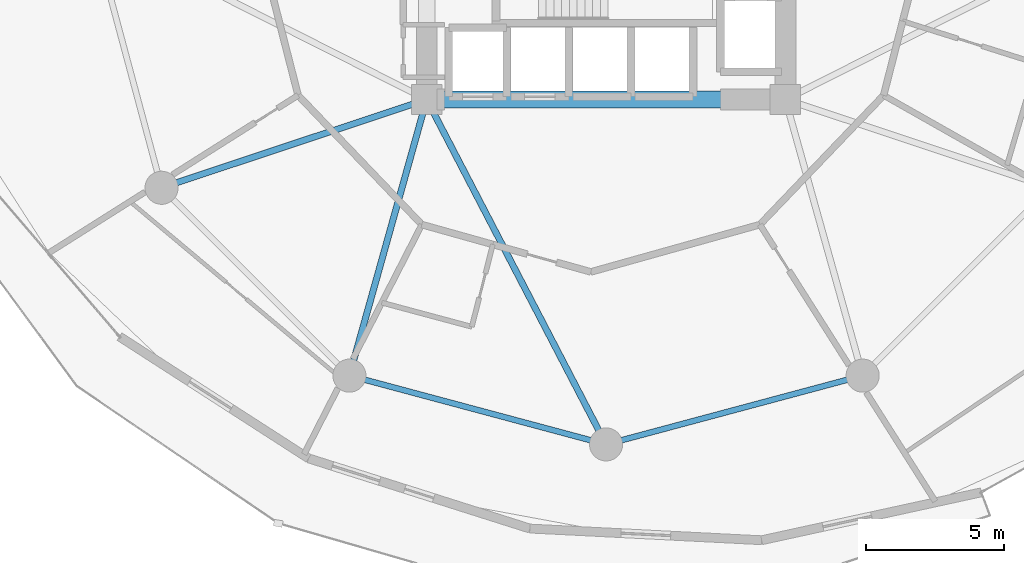
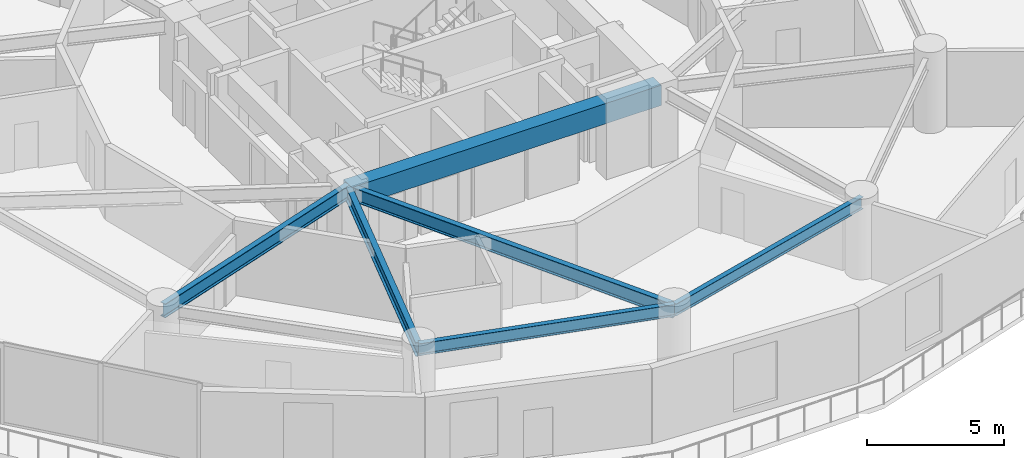
# One storey, part 3 of 23: 6 beams.
"""IFC4 building model written with IfcOpenShell, lengths in metres."""

from ifc_helpers import new_model, si_unit, direction, frame, origin, origin_2d, place, context, subcontext, project, spatial, rectangle, i_section, extrude, material, material_profile, profile_set, type_object, element, save


model = new_model("IFC4")

# Units and contexts
model_context = context("Model", 3, precision=1e-05, world=origin(), true_north=direction((0.0, 1.0)))
body_context = subcontext(model_context, "Body", "Model", "MODEL_VIEW")
ifc_project = project(units=[si_unit("LENGTHUNIT", "METRE"), si_unit("AREAUNIT", "SQUARE_METRE"), si_unit("VOLUMEUNIT", "CUBIC_METRE"), si_unit("PLANEANGLEUNIT", "RADIAN"), si_unit("MASSUNIT", "GRAM", prefix="KILO")], contexts=[model_context])

# Site, building, storey
site_placement = place(None, origin())
site = spatial("IfcSite", under=ifc_project, at=site_placement, CompositionType="ELEMENT")
building_placement = place(site_placement, origin())
building = spatial("IfcBuilding", under=site, at=building_placement, Name="Solvirekh Grand Hotel", CompositionType="ELEMENT")
storey_placement = place(building_placement, frame((0.0, 0.0, 46.39990234375)))
storey = spatial("IfcBuildingStorey", under=building, at=storey_placement, Name="L10", CompositionType="ELEMENT", Elevation=46.39990234375)

# Beams
ifc_material_1 = material(Name="Concrete C50/60", Category="concrete")
ifc_material_profile_1 = material_profile(ifc_material_1, rectangle(XDim=0.60009765625, YDim=0.89990234375, at=origin_2d()), Name="RC BEAM 600X900")
ifc_profile_set_1 = profile_set([ifc_material_profile_1], Name="Concrete C50/60")
beam_type_1 = type_object("IfcBeamType", Name="Beam_Core_RC900", PredefinedType="BEAM", material=ifc_profile_set_1)
beam_1_placement = place(storey_placement, frame((-6.5, -6.10009765625, 2.89013671875), z_axis=(1.0, 0.0, 0.0), x_axis=(0.0, 1.0, 0.0)))
element("IfcBeam", 1, at=beam_1_placement, inside=storey, type_object=beam_type_1, Name="L10 core coupling ring beam 1", PredefinedType="BEAM", context=body_context, shape_type="SweptSolid", body=[
    extrude(rectangle(XDim=0.60009765625, YDim=0.89990234375, at=origin_2d()), origin(), (0.0, 0.0, 1.0), 13.0),
])
ifc_material_2 = material(Name="Steel S355", Category="steel")
ifc_material_profile_2 = material_profile(ifc_material_2, i_section(OverallWidth=0.22998046875, OverallDepth=0.615966796875, WebThickness=0.013916015625, FlangeThickness=0.02392578125, FilletRadius=0.014892578125, at=origin_2d()), Name="W610X174")
ifc_profile_set_2 = profile_set([ifc_material_profile_2], Name="Steel S355")
beam_type_2 = type_object("IfcBeamType", Name="Beam_Primary_W610H", PredefinedType="BEAM", material=ifc_profile_set_2)
beam_2_placement = place(storey_placement, frame((-6.5, -6.10009765625, 3.031982421875), z_axis=(-0.948762825819, -0.315989082635, 0.0), x_axis=(0.315989082635, -0.948762825819, 0.0)))
element("IfcBeam", 2, at=beam_2_placement, inside=storey, type_object=beam_type_2, Name="L10 radial floor beam R08", PredefinedType="BEAM", context=body_context, shape_type="SweptSolid", body=[
    extrude(i_section(OverallWidth=0.22998046875, OverallDepth=0.615966796875, WebThickness=0.013916015625, FlangeThickness=0.02392578125, FilletRadius=0.014892578125, at=origin_2d()), origin(), (0.0, 0.0, 1.0), 10.126708984375),
])
beam_3_placement = place(storey_placement, frame((-6.5, -6.10009765625, 3.031982421875), z_axis=(-0.269439084681, -0.963017434757, 0.0), x_axis=(0.963017434757, -0.269439084681, 0.0)))
element("IfcBeam", 3, at=beam_3_placement, inside=storey, type_object=beam_type_2, Name="L10 radial floor beam R09", PredefinedType="BEAM", context=body_context, shape_type="SweptSolid", body=[
    extrude(i_section(OverallWidth=0.22998046875, OverallDepth=0.615966796875, WebThickness=0.013916015625, FlangeThickness=0.02392578125, FilletRadius=0.014892578125, at=origin_2d()), origin(), (0.0, 0.0, 1.0), 10.39208984375),
])
beam_4_placement = place(storey_placement, frame((-6.5, -6.10009765625, 3.031982421875), z_axis=(0.461352736642, -0.887216801235, 0.0), x_axis=(0.887216801235, 0.461352736642, 0.0)))
element("IfcBeam", 4, at=beam_4_placement, inside=storey, type_object=beam_type_2, Name="L10 radial floor beam R10", PredefinedType="BEAM", context=body_context, shape_type="SweptSolid", body=[
    extrude(i_section(OverallWidth=0.22998046875, OverallDepth=0.615966796875, WebThickness=0.013916015625, FlangeThickness=0.02392578125, FilletRadius=0.014892578125, at=origin_2d()), origin(), (0.0, 0.0, 1.0), 14.089111328125),
])
ifc_material_profile_3 = material_profile(ifc_material_2, i_section(OverallWidth=0.208984375, OverallDepth=0.532958984375, WebThickness=0.010009765625, FlangeThickness=0.014892578125, FilletRadius=0.013916015625, at=origin_2d()), Name="W530X92")
ifc_profile_set_3 = profile_set([ifc_material_profile_3], Name="Steel S355")
beam_type_3 = type_object("IfcBeamType", Name="Spandrel_Ring_W530", PredefinedType="SPANDREL", material=ifc_profile_set_3)
for number, where, z_axis, x_axis, name in (
    (5, (-9.300048828125, -16.10791015625, 3.07421875), (0.965919414426, -0.258842973314, 0.0), (0.258842973314, 0.965919414426, 0.0), "L10 perimeter spandrel beam 9"),
    (6, (0.0, -18.60009765625, 3.07421875), (0.965919414426, 0.258842973314, 0.0), (-0.258842973314, 0.965919414426, 0.0), "L10 perimeter spandrel beam 10"),
):
    element("IfcBeam", number, at=place(storey_placement, frame(where, z_axis=z_axis, x_axis=x_axis)), inside=storey, type_object=beam_type_3, Name=name, PredefinedType="SPANDREL", context=body_context, shape_type="SweptSolid", body=[
        extrude(i_section(OverallWidth=0.208984375, OverallDepth=0.532958984375, WebThickness=0.010009765625, FlangeThickness=0.014892578125, FilletRadius=0.013916015625, at=origin_2d()), origin(), (0.0, 0.0, 1.0), 9.628173828125),
    ])

save(model, "model.ifc")
